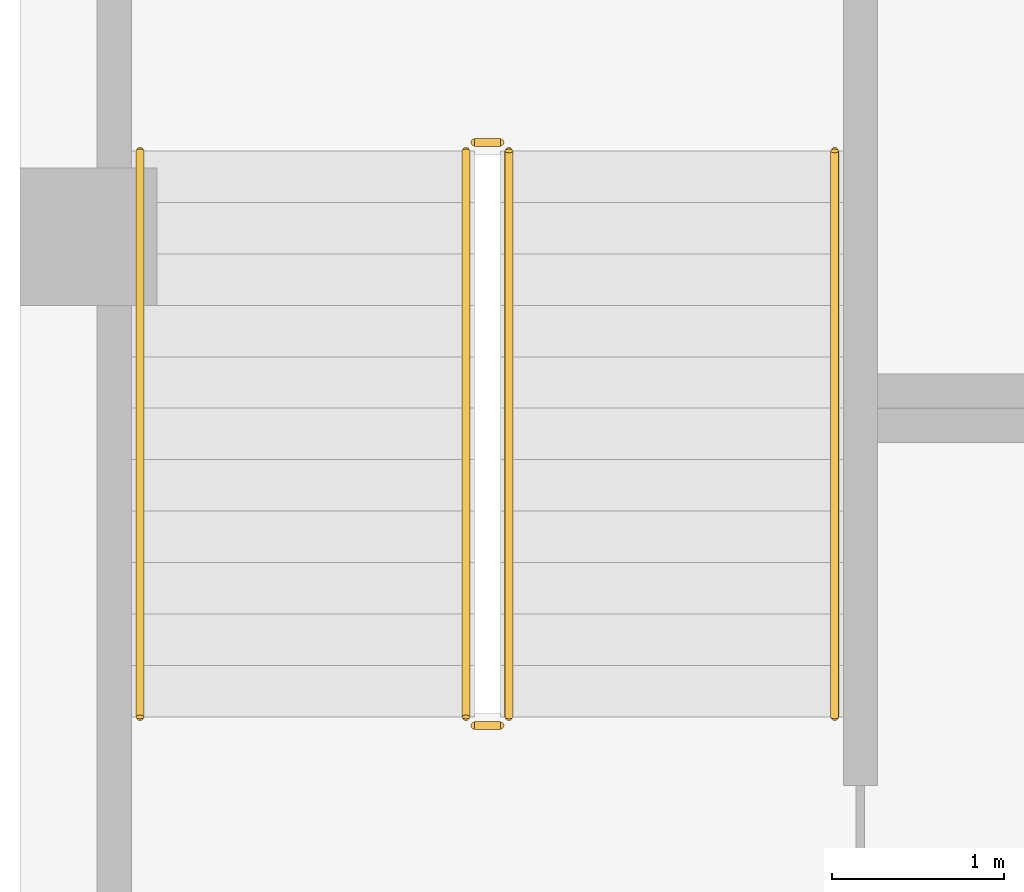
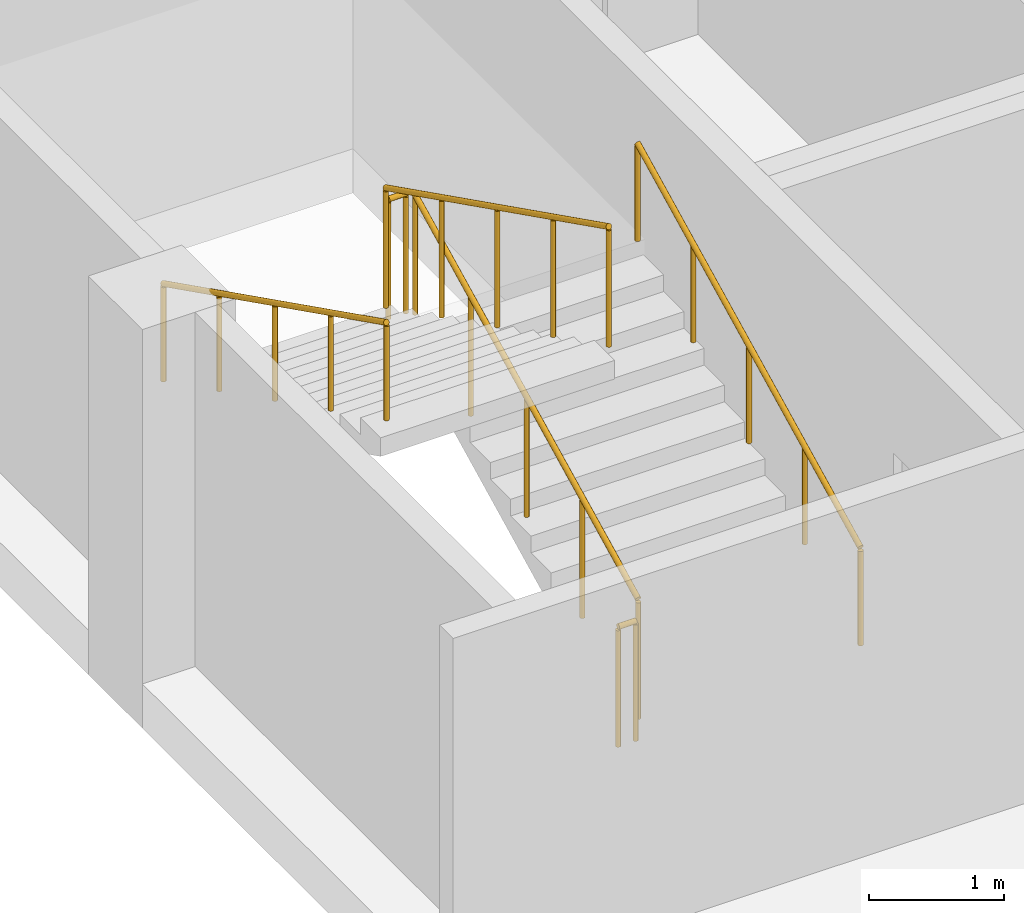
# One storey, part 19 of 37: 6 railings.
"""IFC4 building model written with IfcOpenShell, lengths in metres."""

from ifc_helpers import new_model, si_unit, direction, frame, origin, origin_2d, place, context, subcontext, project, spatial, circle, extrude, material, type_object, element, save


model = new_model("IFC4")

# Units and contexts
model_context = context("Model", 3, precision=1e-05, world=origin(), true_north=direction((0.0, 1.0)))
body_context = subcontext(model_context, "Body", "Model", "MODEL_VIEW")
ifc_project = project(units=[si_unit("LENGTHUNIT", "METRE"), si_unit("AREAUNIT", "SQUARE_METRE"), si_unit("VOLUMEUNIT", "CUBIC_METRE"), si_unit("PLANEANGLEUNIT", "RADIAN"), si_unit("MASSUNIT", "GRAM", prefix="KILO")], contexts=[model_context])

# Site, building, storey
site_placement = place(None, origin())
site = spatial("IfcSite", under=ifc_project, at=site_placement, CompositionType="ELEMENT")
building_placement = place(site_placement, origin())
building = spatial("IfcBuilding", under=site, at=building_placement, Name="Tamra Quay Hotel Tower", CompositionType="ELEMENT")
storey_placement = place(building_placement, frame((0.0, 0.0, -7.199951171875)))
storey = spatial("IfcBuildingStorey", under=building, at=storey_placement, Name="B2", CompositionType="ELEMENT", Elevation=-7.199951171875)

# Railings
ifc_material_1 = material(Name="Basement stair guard 1100")
railing_type_1 = type_object("IfcRailingType", Name="Basement stair guard 1100", PredefinedType="GUARDRAIL", material=ifc_material_1)
railing_1_placement = place(storey_placement, frame((-119.85009765625, -66.800048828125, 0.14990234375)))
element("IfcRailing", 1, at=railing_1_placement, inside=storey, type_object=railing_type_1, Name="BSG", PredefinedType="GUARDRAIL", context=body_context, shape_type="SweptSolid", body=[
    extrude(circle(Radius=0.02392578125, at=origin_2d()), frame((0.0, 0.0, 1.076171875), z_axis=(0.0, 0.894413956696, 0.447240063129), x_axis=(-1.0, 0.0, 0.0)), (0.0, 0.0, 1.0), 3.689697265625),
    extrude(circle(Radius=0.02099609375, at=origin_2d()), origin(), (0.0, 0.0, 1.0), 1.052001953125),
    extrude(circle(Radius=0.02099609375, at=origin_2d()), frame((0.0, 0.824951171875, 0.41259765625)), (0.0, 0.0, 1.0), 1.052001953125),
    extrude(circle(Radius=0.02099609375, at=origin_2d()), frame((0.0, 1.64990234375, 0.8251953125)), (0.0, 0.0, 1.0), 1.052001953125),
    extrude(circle(Radius=0.02099609375, at=origin_2d()), frame((0.0, 2.47509765625, 1.237548828125)), (0.0, 0.0, 1.0), 1.052001953125),
    extrude(circle(Radius=0.02099609375, at=origin_2d()), frame((0.0, 3.300048828125, 1.650146484375)), (0.0, 0.0, 1.0), 1.052001953125),
])
railing_2_placement = place(storey_placement, frame((-119.89990234375, -63.449951171875, 1.800048828125)))
element("IfcRailing", 2, at=railing_2_placement, inside=storey, type_object=railing_type_1, Name="BSG", PredefinedType="GUARDRAIL", context=body_context, shape_type="SweptSolid", body=[
    extrude(circle(Radius=0.02392578125, at=origin_2d()), frame((0.0, 0.0, 1.076171875), z_axis=(-1.0, 0.0, 0.0), x_axis=(0.0, -1.0, 0.0)), (0.0, 0.0, 1.0), 0.150146484375),
    extrude(circle(Radius=0.02099609375, at=origin_2d()), origin(), (0.0, 0.0, 1.0), 1.052001953125),
    extrude(circle(Radius=0.02099609375, at=origin_2d()), frame((-0.150146484375, 0.0, 0.0)), (0.0, 0.0, 1.0), 1.052001953125),
])
railing_3_placement = place(storey_placement, frame((-120.10009765625, -63.5, 1.949951171875)))
element("IfcRailing", 3, at=railing_3_placement, inside=storey, type_object=railing_type_1, Name="BSG", PredefinedType="GUARDRAIL", context=body_context, shape_type="SweptSolid", body=[
    extrude(circle(Radius=0.02392578125, at=origin_2d()), frame((0.0, 0.0, 1.076171875), z_axis=(0.0, -0.894440424912, 0.447187126696), x_axis=(1.0, 0.0, 0.0)), (0.0, 0.0, 1.0), 3.689453125),
    extrude(circle(Radius=0.02099609375, at=origin_2d()), origin(), (0.0, 0.0, 1.0), 1.052001953125),
    extrude(circle(Radius=0.02099609375, at=origin_2d()), frame((0.0, -0.824951171875, 0.41259765625)), (0.0, 0.0, 1.0), 1.052001953125),
    extrude(circle(Radius=0.02099609375, at=origin_2d()), frame((0.0, -1.64990234375, 0.824951171875)), (0.0, 0.0, 1.0), 1.052001953125),
    extrude(circle(Radius=0.02099609375, at=origin_2d()), frame((0.0, -2.47509765625, 1.2373046875)), (0.0, 0.0, 1.0), 1.052001953125),
    extrude(circle(Radius=0.02099609375, at=origin_2d()), frame((0.0, -3.300048828125, 1.64990234375)), (0.0, 0.0, 1.0), 1.052001953125),
])
railing_4_placement = place(storey_placement, frame((-119.89990234375, -66.85009765625, 0.0)))
element("IfcRailing", 4, at=railing_4_placement, inside=storey, type_object=railing_type_1, Name="BSG", PredefinedType="GUARDRAIL", context=body_context, shape_type="SweptSolid", body=[
    extrude(circle(Radius=0.02392578125, at=origin_2d()), frame((0.0, 0.0, 1.076171875), z_axis=(-1.0, 0.0, 0.0), x_axis=(0.0, -1.0, 0.0)), (0.0, 0.0, 1.0), 0.150146484375),
    extrude(circle(Radius=0.02099609375, at=origin_2d()), origin(), (0.0, 0.0, 1.0), 1.052001953125),
    extrude(circle(Radius=0.02099609375, at=origin_2d()), frame((-0.150146484375, 0.0, 0.0)), (0.0, 0.0, 1.0), 1.052001953125),
])
ifc_material_2 = material(Name="Basement stair handrail 900")
railing_type_2 = type_object("IfcRailingType", Name="Basement stair handrail 900", PredefinedType="HANDRAIL", material=ifc_material_2)
railing_5_placement = place(storey_placement, frame((-117.949951171875, -66.800048828125, 0.14990234375)))
element("IfcRailing", 5, at=railing_5_placement, inside=storey, type_object=railing_type_2, Name="BSH", PredefinedType="HANDRAIL", context=body_context, shape_type="SweptSolid", body=[
    extrude(circle(Radius=0.02392578125, at=origin_2d()), frame((0.0, 0.0, 0.8759765625), z_axis=(0.0, 0.894413956696, 0.447240063129), x_axis=(-1.0, 0.0, 0.0)), (0.0, 0.0, 1.0), 3.689697265625),
    extrude(circle(Radius=0.02099609375, at=origin_2d()), origin(), (0.0, 0.0, 1.0), 0.851806640625),
    extrude(circle(Radius=0.02099609375, at=origin_2d()), frame((0.0, 0.824951171875, 0.41259765625)), (0.0, 0.0, 1.0), 0.851806640625),
    extrude(circle(Radius=0.02099609375, at=origin_2d()), frame((0.0, 1.64990234375, 0.8251953125)), (0.0, 0.0, 1.0), 0.851806640625),
    extrude(circle(Radius=0.02099609375, at=origin_2d()), frame((0.0, 2.47509765625, 1.237548828125)), (0.0, 0.0, 1.0), 0.851806640625),
    extrude(circle(Radius=0.02099609375, at=origin_2d()), frame((0.0, 3.300048828125, 1.650146484375)), (0.0, 0.0, 1.0), 0.851806640625),
])
railing_6_placement = place(storey_placement, frame((-122.0, -63.5, 1.949951171875)))
element("IfcRailing", 6, at=railing_6_placement, inside=storey, type_object=railing_type_2, Name="BSH", PredefinedType="HANDRAIL", context=body_context, shape_type="SweptSolid", body=[
    extrude(circle(Radius=0.02392578125, at=origin_2d()), frame((0.0, 0.0, 0.8759765625), z_axis=(0.0, -0.894440424912, 0.447187126696), x_axis=(1.0, 0.0, 0.0)), (0.0, 0.0, 1.0), 3.689453125),
    extrude(circle(Radius=0.02099609375, at=origin_2d()), origin(), (0.0, 0.0, 1.0), 0.851806640625),
    extrude(circle(Radius=0.02099609375, at=origin_2d()), frame((0.0, -0.824951171875, 0.41259765625)), (0.0, 0.0, 1.0), 0.851806640625),
    extrude(circle(Radius=0.02099609375, at=origin_2d()), frame((0.0, -1.64990234375, 0.824951171875)), (0.0, 0.0, 1.0), 0.851806640625),
    extrude(circle(Radius=0.02099609375, at=origin_2d()), frame((0.0, -2.47509765625, 1.2373046875)), (0.0, 0.0, 1.0), 0.851806640625),
    extrude(circle(Radius=0.02099609375, at=origin_2d()), frame((0.0, -3.300048828125, 1.64990234375)), (0.0, 0.0, 1.0), 0.851806640625),
])

save(model, "model.ifc")
